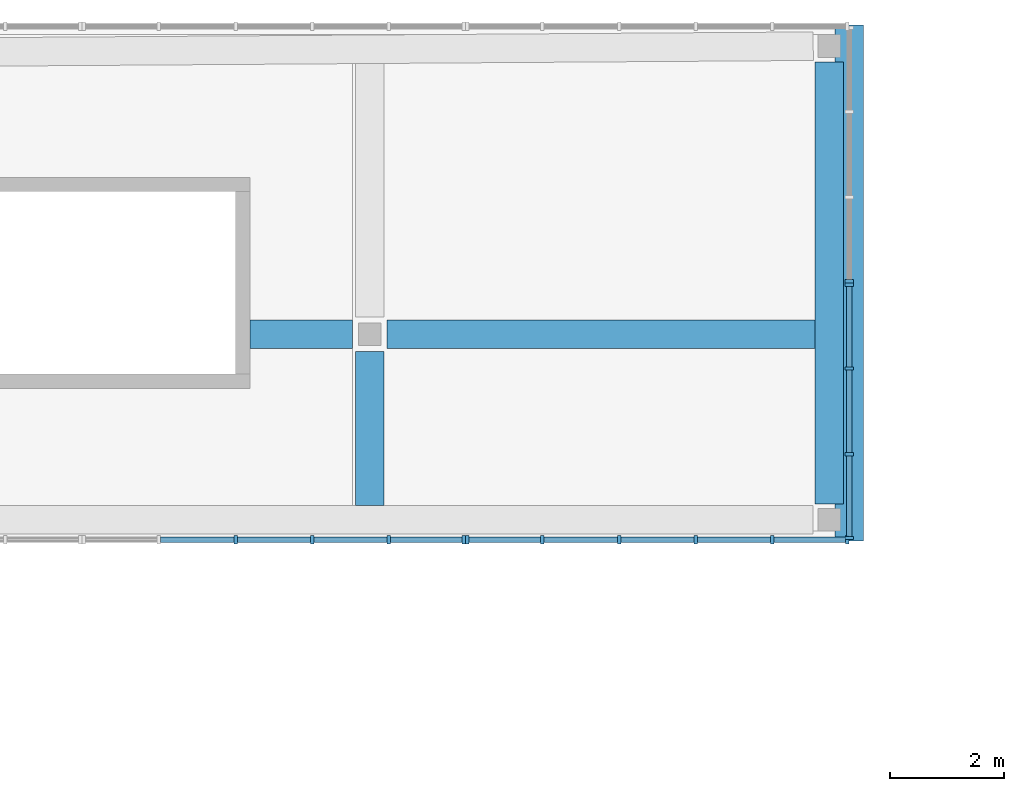
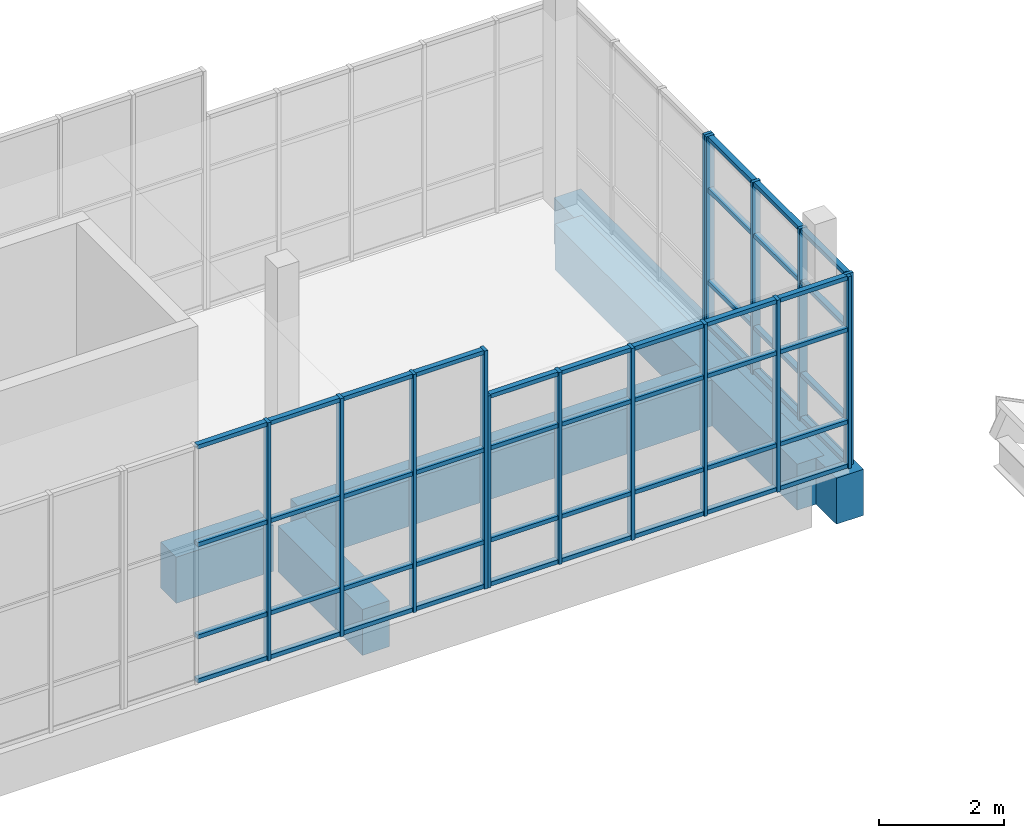
# One storey, part 27 of 103: 63 members, 5 beams, 4 elements without a shape of their own.
"""IFC4 building model written with IfcOpenShell, lengths in metres."""

from ifc_helpers import new_model, si_unit, direction, frame, origin, origin_2d, place, context, subcontext, project, spatial, rectangle, extrude, material, layer, layer_set, material_profile, profile_set, type_object, element, aggregate, save


model = new_model("IFC4")

# Units and contexts
model_context = context("Model", 3, precision=1e-05, world=origin(), true_north=direction((0.0, 1.0)))
body_context = subcontext(model_context, "Body", "Model", "MODEL_VIEW")
ifc_project = project(units=[si_unit("LENGTHUNIT", "METRE"), si_unit("AREAUNIT", "SQUARE_METRE"), si_unit("VOLUMEUNIT", "CUBIC_METRE"), si_unit("PLANEANGLEUNIT", "RADIAN"), si_unit("MASSUNIT", "GRAM", prefix="KILO")], contexts=[model_context])

# Site, building, storey
site_placement = place(None, origin())
site = spatial("IfcSite", under=ifc_project, at=site_placement, CompositionType="ELEMENT")
building_placement = place(site_placement, origin())
building = spatial("IfcBuilding", under=site, at=building_placement, Name="Larchfold Concert Hall", CompositionType="ELEMENT")
storey_placement = place(building_placement, frame((0.0, 0.0, 9.60009765625)))
storey = spatial("IfcBuildingStorey", under=building, at=storey_placement, Name="L02", CompositionType="ELEMENT", Elevation=9.60009765625)

# Curtain wall, members
ifc_material_1 = material(Name="Anodised graphite aluminium curtain wall", Category="aluminium")
ifc_layer = layer(ifc_material_1, 0.14990234375)
ifc_layer_set = layer_set([ifc_layer], Name="Anodised graphite aluminium curtain wall")
curtain_wall_type = type_object("IfcCurtainWallType", Name="Curtain wall WG", PredefinedType="NOTDEFINED", material=ifc_layer_set)
curtain_wall_1_placement = place(storey_placement, origin())
curtain_wall_1 = element("IfcCurtainWall", 1, at=curtain_wall_1_placement, inside=storey, type_object=curtain_wall_type, Name="Curtain wall CW0246", PredefinedType="NOTDEFINED")
ifc_material_2 = material(Name="Anodised graphite aluminium mullion", Category="aluminium")
ifc_material_profile_1 = material_profile(ifc_material_2, rectangle(XDim=0.14990234375, YDim=0.06005859375, at=origin_2d()))
ifc_profile_set_1 = profile_set([ifc_material_profile_1], Name="Anodised graphite aluminium mullion")
member_type_1 = type_object("IfcMemberType", Name="Aluminium mullion 60x150", PredefinedType="MULLION", material=ifc_profile_set_1)
member_1_placement = place(storey_placement, frame((65.447998046875, 123.0, 0.0), z_axis=(0.0, 0.0, 1.0), x_axis=(0.0, 1.0, 0.0)))
member_1 = element("IfcMember", 2, at=member_1_placement, type_object=member_type_1, Name="CW0246 mullion 3", PredefinedType="MULLION", context=body_context, shape_type="SweptSolid", body=[
    extrude(rectangle(XDim=0.14990234375, YDim=0.06005859375, at=origin_2d()), origin(), (0.0, 0.0, 1.0), 4.64990234375),
])
member_2_placement = place(storey_placement, frame((66.7919921875, 123.0, 0.0), z_axis=(0.0, 0.0, 1.0), x_axis=(0.0, 1.0, 0.0)))
member_2 = element("IfcMember", 3, at=member_2_placement, type_object=member_type_1, Name="CW0246 mullion 4", PredefinedType="MULLION", context=body_context, shape_type="SweptSolid", body=[
    extrude(rectangle(XDim=0.14990234375, YDim=0.06005859375, at=origin_2d()), origin(), (0.0, 0.0, 1.0), 4.64990234375),
])
member_3_placement = place(storey_placement, frame((68.135986328125, 123.0, 0.0), z_axis=(0.0, 0.0, 1.0), x_axis=(0.0, 1.0, 0.0)))
member_3 = element("IfcMember", 4, at=member_3_placement, type_object=member_type_1, Name="CW0246 mullion 5", PredefinedType="MULLION", context=body_context, shape_type="SweptSolid", body=[
    extrude(rectangle(XDim=0.14990234375, YDim=0.06005859375, at=origin_2d()), origin(), (0.0, 0.0, 1.0), 4.64990234375),
])
member_4_placement = place(storey_placement, frame((69.449951171875, 123.0, 0.0), z_axis=(0.0, 0.0, 1.0), x_axis=(0.0, 1.0, 0.0)))
member_4 = element("IfcMember", 5, at=member_4_placement, type_object=member_type_1, Name="CW0246 mullion 6", PredefinedType="MULLION", context=body_context, shape_type="SweptSolid", body=[
    extrude(rectangle(XDim=0.14990234375, YDim=0.06005859375, at=origin_2d()), origin(), (0.0, 0.0, 1.0), 4.64990234375),
])

curtain_wall_2_placement = place(storey_placement, origin())
curtain_wall_2 = element("IfcCurtainWall", 6, at=curtain_wall_2_placement, inside=storey, type_object=curtain_wall_type, Name="Curtain wall CW0247", PredefinedType="NOTDEFINED")
member_5_placement = place(storey_placement, frame((69.510009765625, 123.0, 0.0), z_axis=(0.0, 0.0, 1.0), x_axis=(0.0, 1.0, 0.0)))
member_5 = element("IfcMember", 7, at=member_5_placement, type_object=member_type_1, Name="CW0247 mullion 1", PredefinedType="MULLION", context=body_context, shape_type="SweptSolid", body=[
    extrude(rectangle(XDim=0.14990234375, YDim=0.06005859375, at=origin_2d()), origin(), (0.0, 0.0, 1.0), 3.75),
])
member_6_placement = place(storey_placement, frame((70.823974609375, 123.0, 0.0), z_axis=(0.0, 0.0, 1.0), x_axis=(0.0, 1.0, 0.0)))
member_6 = element("IfcMember", 8, at=member_6_placement, type_object=member_type_1, Name="CW0247 mullion 2", PredefinedType="MULLION", context=body_context, shape_type="SweptSolid", body=[
    extrude(rectangle(XDim=0.14990234375, YDim=0.06005859375, at=origin_2d()), origin(), (0.0, 0.0, 1.0), 3.75),
])
member_7_placement = place(storey_placement, frame((72.16796875, 123.0, 0.0), z_axis=(0.0, 0.0, 1.0), x_axis=(0.0, 1.0, 0.0)))
member_7 = element("IfcMember", 9, at=member_7_placement, type_object=member_type_1, Name="CW0247 mullion 3", PredefinedType="MULLION", context=body_context, shape_type="SweptSolid", body=[
    extrude(rectangle(XDim=0.14990234375, YDim=0.06005859375, at=origin_2d()), origin(), (0.0, 0.0, 1.0), 3.75),
])
member_8_placement = place(storey_placement, frame((73.511962890625, 123.0, 0.0), z_axis=(0.0, 0.0, 1.0), x_axis=(0.0, 1.0, 0.0)))
member_8 = element("IfcMember", 10, at=member_8_placement, type_object=member_type_1, Name="CW0247 mullion 4", PredefinedType="MULLION", context=body_context, shape_type="SweptSolid", body=[
    extrude(rectangle(XDim=0.14990234375, YDim=0.06005859375, at=origin_2d()), origin(), (0.0, 0.0, 1.0), 3.75),
])
member_9_placement = place(storey_placement, frame((74.85595703125, 123.0, 0.0), z_axis=(0.0, 0.0, 1.0), x_axis=(0.0, 1.0, 0.0)))
member_9 = element("IfcMember", 11, at=member_9_placement, type_object=member_type_1, Name="CW0247 mullion 5", PredefinedType="MULLION", context=body_context, shape_type="SweptSolid", body=[
    extrude(rectangle(XDim=0.14990234375, YDim=0.06005859375, at=origin_2d()), origin(), (0.0, 0.0, 1.0), 3.75),
])
member_10_placement = place(storey_placement, frame((76.169921875, 123.0, 0.0), z_axis=(0.0, 0.0, 1.0), x_axis=(0.0, 1.0, 0.0)))
member_10 = element("IfcMember", 12, at=member_10_placement, type_object=member_type_1, Name="CW0247 mullion 6", PredefinedType="MULLION", context=body_context, shape_type="SweptSolid", body=[
    extrude(rectangle(XDim=0.14990234375, YDim=0.06005859375, at=origin_2d()), origin(), (0.0, 0.0, 1.0), 3.75),
])

curtain_wall_3_placement = place(storey_placement, origin())
curtain_wall_3 = element("IfcCurtainWall", 13, at=curtain_wall_3_placement, inside=storey, type_object=curtain_wall_type, Name="Curtain wall CW0248", PredefinedType="NOTDEFINED")
member_11_placement = place(storey_placement, frame((76.199951171875, 123.030029296875, 0.0), z_axis=(0.0, 0.0, 1.0), x_axis=(-1.0, 0.0, 0.0)))
member_11 = element("IfcMember", 14, at=member_11_placement, type_object=member_type_1, Name="CW0248 mullion 1", PredefinedType="MULLION", context=body_context, shape_type="SweptSolid", body=[
    extrude(rectangle(XDim=0.14990234375, YDim=0.06005859375, at=origin_2d()), origin(), (0.0, 0.0, 1.0), 3.75),
])
member_12_placement = place(storey_placement, frame((76.199951171875, 124.5, 0.0), z_axis=(0.0, 0.0, 1.0), x_axis=(-1.0, 0.0, 0.0)))
member_12 = element("IfcMember", 15, at=member_12_placement, type_object=member_type_1, Name="CW0248 mullion 2", PredefinedType="MULLION", context=body_context, shape_type="SweptSolid", body=[
    extrude(rectangle(XDim=0.14990234375, YDim=0.06005859375, at=origin_2d()), origin(), (0.0, 0.0, 1.0), 3.75),
])
member_13_placement = place(storey_placement, frame((76.199951171875, 126.0, 0.0), z_axis=(0.0, 0.0, 1.0), x_axis=(-1.0, 0.0, 0.0)))
member_13 = element("IfcMember", 16, at=member_13_placement, type_object=member_type_1, Name="CW0248 mullion 3", PredefinedType="MULLION", context=body_context, shape_type="SweptSolid", body=[
    extrude(rectangle(XDim=0.14990234375, YDim=0.06005859375, at=origin_2d()), origin(), (0.0, 0.0, 1.0), 3.75),
])
member_14_placement = place(storey_placement, frame((76.199951171875, 127.469970703125, 0.0), z_axis=(0.0, 0.0, 1.0), x_axis=(-1.0, 0.0, 0.0)))
member_14 = element("IfcMember", 17, at=member_14_placement, type_object=member_type_1, Name="CW0248 mullion 4", PredefinedType="MULLION", context=body_context, shape_type="SweptSolid", body=[
    extrude(rectangle(XDim=0.14990234375, YDim=0.06005859375, at=origin_2d()), origin(), (0.0, 0.0, 1.0), 3.75),
])

# Curtain wall, member
curtain_wall_4_placement = place(storey_placement, origin())
curtain_wall_4 = element("IfcCurtainWall", 18, at=curtain_wall_4_placement, inside=storey, type_object=curtain_wall_type, Name="Curtain wall CW0249", PredefinedType="NOTDEFINED")
member_15_placement = place(storey_placement, frame((76.199951171875, 127.530029296875, 0.0), z_axis=(0.0, 0.0, 1.0), x_axis=(-1.0, 0.0, 0.0)))
member_15 = element("IfcMember", 19, at=member_15_placement, type_object=member_type_1, Name="CW0249 mullion 1", PredefinedType="MULLION", context=body_context, shape_type="SweptSolid", body=[
    extrude(rectangle(XDim=0.14990234375, YDim=0.06005859375, at=origin_2d()), origin(), (0.0, 0.0, 1.0), 3.75),
])
aggregate(curtain_wall_4, [member_15])

# Member
ifc_material_3 = material(Name="Anodised graphite aluminium transom", Category="aluminium")
ifc_material_profile_2 = material_profile(ifc_material_3, rectangle(XDim=0.10009765625, YDim=0.080078125, at=origin_2d()))
ifc_profile_set_2 = profile_set([ifc_material_profile_2], Name="Anodised graphite aluminium transom")
member_type_2 = type_object("IfcMemberType", Name="Aluminium transom 80x100", PredefinedType="USERDEFINED", material=ifc_profile_set_2)
member_16_placement = place(storey_placement, frame((64.134033203125, 123.0, 0.0400390625), z_axis=(1.0, 0.0, 0.0), x_axis=(0.0, 1.0, 0.0)))
member_16 = element("IfcMember", 20, at=member_16_placement, type_object=member_type_2, Name="CW0246 transom 2.1", ObjectType="TRANSOM", PredefinedType="USERDEFINED", context=body_context, shape_type="SweptSolid", body=[
    extrude(rectangle(XDim=0.10009765625, YDim=0.080078125, at=origin_2d()), origin(), (0.0, 0.0, 1.0), 1.283935546875),
])

member_17_placement = place(storey_placement, frame((64.134033203125, 123.0, 0.89990234375), z_axis=(1.0, 0.0, 0.0), x_axis=(0.0, 1.0, 0.0)))
member_17 = element("IfcMember", 21, at=member_17_placement, type_object=member_type_2, Name="CW0246 transom 2.2", ObjectType="TRANSOM", PredefinedType="USERDEFINED", context=body_context, shape_type="SweptSolid", body=[
    extrude(rectangle(XDim=0.10009765625, YDim=0.080078125, at=origin_2d()), origin(), (0.0, 0.0, 1.0), 1.283935546875),
])

member_18_placement = place(storey_placement, frame((64.134033203125, 123.0, 2.699951171875), z_axis=(1.0, 0.0, 0.0), x_axis=(0.0, 1.0, 0.0)))
member_18 = element("IfcMember", 22, at=member_18_placement, type_object=member_type_2, Name="CW0246 transom 2.3", ObjectType="TRANSOM", PredefinedType="USERDEFINED", context=body_context, shape_type="SweptSolid", body=[
    extrude(rectangle(XDim=0.10009765625, YDim=0.080078125, at=origin_2d()), origin(), (0.0, 0.0, 1.0), 1.283935546875),
])

member_19_placement = place(storey_placement, frame((64.134033203125, 123.0, 4.60986328125), z_axis=(1.0, 0.0, 0.0), x_axis=(0.0, 1.0, 0.0)))
member_19 = element("IfcMember", 23, at=member_19_placement, type_object=member_type_2, Name="CW0246 transom 2.4", ObjectType="TRANSOM", PredefinedType="USERDEFINED", context=body_context, shape_type="SweptSolid", body=[
    extrude(rectangle(XDim=0.10009765625, YDim=0.080078125, at=origin_2d()), origin(), (0.0, 0.0, 1.0), 1.283935546875),
])

member_20_placement = place(storey_placement, frame((65.47802734375, 123.0, 0.0400390625), z_axis=(1.0, 0.0, 0.0), x_axis=(0.0, 1.0, 0.0)))
member_20 = element("IfcMember", 24, at=member_20_placement, type_object=member_type_2, Name="CW0246 transom 3.1", ObjectType="TRANSOM", PredefinedType="USERDEFINED", context=body_context, shape_type="SweptSolid", body=[
    extrude(rectangle(XDim=0.10009765625, YDim=0.080078125, at=origin_2d()), origin(), (0.0, 0.0, 1.0), 1.283935546875),
])

member_21_placement = place(storey_placement, frame((65.47802734375, 123.0, 0.89990234375), z_axis=(1.0, 0.0, 0.0), x_axis=(0.0, 1.0, 0.0)))
member_21 = element("IfcMember", 25, at=member_21_placement, type_object=member_type_2, Name="CW0246 transom 3.2", ObjectType="TRANSOM", PredefinedType="USERDEFINED", context=body_context, shape_type="SweptSolid", body=[
    extrude(rectangle(XDim=0.10009765625, YDim=0.080078125, at=origin_2d()), origin(), (0.0, 0.0, 1.0), 1.283935546875),
])

member_22_placement = place(storey_placement, frame((65.47802734375, 123.0, 2.699951171875), z_axis=(1.0, 0.0, 0.0), x_axis=(0.0, 1.0, 0.0)))
member_22 = element("IfcMember", 26, at=member_22_placement, type_object=member_type_2, Name="CW0246 transom 3.3", ObjectType="TRANSOM", PredefinedType="USERDEFINED", context=body_context, shape_type="SweptSolid", body=[
    extrude(rectangle(XDim=0.10009765625, YDim=0.080078125, at=origin_2d()), origin(), (0.0, 0.0, 1.0), 1.283935546875),
])

member_23_placement = place(storey_placement, frame((65.47802734375, 123.0, 4.60986328125), z_axis=(1.0, 0.0, 0.0), x_axis=(0.0, 1.0, 0.0)))
member_23 = element("IfcMember", 27, at=member_23_placement, type_object=member_type_2, Name="CW0246 transom 3.4", ObjectType="TRANSOM", PredefinedType="USERDEFINED", context=body_context, shape_type="SweptSolid", body=[
    extrude(rectangle(XDim=0.10009765625, YDim=0.080078125, at=origin_2d()), origin(), (0.0, 0.0, 1.0), 1.283935546875),
])

member_24_placement = place(storey_placement, frame((66.822021484375, 123.0, 0.0400390625), z_axis=(1.0, 0.0, 0.0), x_axis=(0.0, 1.0, 0.0)))
member_24 = element("IfcMember", 28, at=member_24_placement, type_object=member_type_2, Name="CW0246 transom 4.1", ObjectType="TRANSOM", PredefinedType="USERDEFINED", context=body_context, shape_type="SweptSolid", body=[
    extrude(rectangle(XDim=0.10009765625, YDim=0.080078125, at=origin_2d()), origin(), (0.0, 0.0, 1.0), 1.283935546875),
])

member_25_placement = place(storey_placement, frame((66.822021484375, 123.0, 0.89990234375), z_axis=(1.0, 0.0, 0.0), x_axis=(0.0, 1.0, 0.0)))
member_25 = element("IfcMember", 29, at=member_25_placement, type_object=member_type_2, Name="CW0246 transom 4.2", ObjectType="TRANSOM", PredefinedType="USERDEFINED", context=body_context, shape_type="SweptSolid", body=[
    extrude(rectangle(XDim=0.10009765625, YDim=0.080078125, at=origin_2d()), origin(), (0.0, 0.0, 1.0), 1.283935546875),
])

member_26_placement = place(storey_placement, frame((66.822021484375, 123.0, 2.699951171875), z_axis=(1.0, 0.0, 0.0), x_axis=(0.0, 1.0, 0.0)))
member_26 = element("IfcMember", 30, at=member_26_placement, type_object=member_type_2, Name="CW0246 transom 4.3", ObjectType="TRANSOM", PredefinedType="USERDEFINED", context=body_context, shape_type="SweptSolid", body=[
    extrude(rectangle(XDim=0.10009765625, YDim=0.080078125, at=origin_2d()), origin(), (0.0, 0.0, 1.0), 1.283935546875),
])

member_27_placement = place(storey_placement, frame((66.822021484375, 123.0, 4.60986328125), z_axis=(1.0, 0.0, 0.0), x_axis=(0.0, 1.0, 0.0)))
member_27 = element("IfcMember", 31, at=member_27_placement, type_object=member_type_2, Name="CW0246 transom 4.4", ObjectType="TRANSOM", PredefinedType="USERDEFINED", context=body_context, shape_type="SweptSolid", body=[
    extrude(rectangle(XDim=0.10009765625, YDim=0.080078125, at=origin_2d()), origin(), (0.0, 0.0, 1.0), 1.283935546875),
])

member_28_placement = place(storey_placement, frame((68.166015625, 123.0, 0.0400390625), z_axis=(1.0, 0.0, 0.0), x_axis=(0.0, 1.0, 0.0)))
member_28 = element("IfcMember", 32, at=member_28_placement, type_object=member_type_2, Name="CW0246 transom 5.1", ObjectType="TRANSOM", PredefinedType="USERDEFINED", context=body_context, shape_type="SweptSolid", body=[
    extrude(rectangle(XDim=0.10009765625, YDim=0.080078125, at=origin_2d()), origin(), (0.0, 0.0, 1.0), 1.25390625),
])

member_29_placement = place(storey_placement, frame((68.166015625, 123.0, 0.89990234375), z_axis=(1.0, 0.0, 0.0), x_axis=(0.0, 1.0, 0.0)))
member_29 = element("IfcMember", 33, at=member_29_placement, type_object=member_type_2, Name="CW0246 transom 5.2", ObjectType="TRANSOM", PredefinedType="USERDEFINED", context=body_context, shape_type="SweptSolid", body=[
    extrude(rectangle(XDim=0.10009765625, YDim=0.080078125, at=origin_2d()), origin(), (0.0, 0.0, 1.0), 1.25390625),
])

member_30_placement = place(storey_placement, frame((68.166015625, 123.0, 2.699951171875), z_axis=(1.0, 0.0, 0.0), x_axis=(0.0, 1.0, 0.0)))
member_30 = element("IfcMember", 34, at=member_30_placement, type_object=member_type_2, Name="CW0246 transom 5.3", ObjectType="TRANSOM", PredefinedType="USERDEFINED", context=body_context, shape_type="SweptSolid", body=[
    extrude(rectangle(XDim=0.10009765625, YDim=0.080078125, at=origin_2d()), origin(), (0.0, 0.0, 1.0), 1.25390625),
])

member_31_placement = place(storey_placement, frame((68.166015625, 123.0, 4.60986328125), z_axis=(1.0, 0.0, 0.0), x_axis=(0.0, 1.0, 0.0)))
member_31 = element("IfcMember", 35, at=member_31_placement, type_object=member_type_2, Name="CW0246 transom 5.4", ObjectType="TRANSOM", PredefinedType="USERDEFINED", context=body_context, shape_type="SweptSolid", body=[
    extrude(rectangle(XDim=0.10009765625, YDim=0.080078125, at=origin_2d()), origin(), (0.0, 0.0, 1.0), 1.25390625),
])

aggregate(curtain_wall_1, [member_1, member_2, member_3, member_4, member_16, member_17, member_18, member_19, member_20, member_21, member_22, member_23, member_24, member_25, member_26, member_27, member_28, member_29, member_30, member_31])

member_32_placement = place(storey_placement, frame((69.5400390625, 123.0, 0.0400390625), z_axis=(1.0, 0.0, 0.0), x_axis=(0.0, 1.0, 0.0)))
member_32 = element("IfcMember", 36, at=member_32_placement, type_object=member_type_2, Name="CW0247 transom 1.1", ObjectType="TRANSOM", PredefinedType="USERDEFINED", context=body_context, shape_type="SweptSolid", body=[
    extrude(rectangle(XDim=0.10009765625, YDim=0.080078125, at=origin_2d()), origin(), (0.0, 0.0, 1.0), 1.25390625),
])

member_33_placement = place(storey_placement, frame((69.5400390625, 123.0, 0.89990234375), z_axis=(1.0, 0.0, 0.0), x_axis=(0.0, 1.0, 0.0)))
member_33 = element("IfcMember", 37, at=member_33_placement, type_object=member_type_2, Name="CW0247 transom 1.2", ObjectType="TRANSOM", PredefinedType="USERDEFINED", context=body_context, shape_type="SweptSolid", body=[
    extrude(rectangle(XDim=0.10009765625, YDim=0.080078125, at=origin_2d()), origin(), (0.0, 0.0, 1.0), 1.25390625),
])

member_34_placement = place(storey_placement, frame((69.5400390625, 123.0, 2.699951171875), z_axis=(1.0, 0.0, 0.0), x_axis=(0.0, 1.0, 0.0)))
member_34 = element("IfcMember", 38, at=member_34_placement, type_object=member_type_2, Name="CW0247 transom 1.3", ObjectType="TRANSOM", PredefinedType="USERDEFINED", context=body_context, shape_type="SweptSolid", body=[
    extrude(rectangle(XDim=0.10009765625, YDim=0.080078125, at=origin_2d()), origin(), (0.0, 0.0, 1.0), 1.25390625),
])

member_35_placement = place(storey_placement, frame((69.5400390625, 123.0, 3.7099609375), z_axis=(1.0, 0.0, 0.0), x_axis=(0.0, 1.0, 0.0)))
member_35 = element("IfcMember", 39, at=member_35_placement, type_object=member_type_2, Name="CW0247 transom 1.4", ObjectType="TRANSOM", PredefinedType="USERDEFINED", context=body_context, shape_type="SweptSolid", body=[
    extrude(rectangle(XDim=0.10009765625, YDim=0.080078125, at=origin_2d()), origin(), (0.0, 0.0, 1.0), 1.25390625),
])

member_36_placement = place(storey_placement, frame((70.85400390625, 123.0, 0.0400390625), z_axis=(1.0, 0.0, 0.0), x_axis=(0.0, 1.0, 0.0)))
member_36 = element("IfcMember", 40, at=member_36_placement, type_object=member_type_2, Name="CW0247 transom 2.1", ObjectType="TRANSOM", PredefinedType="USERDEFINED", context=body_context, shape_type="SweptSolid", body=[
    extrude(rectangle(XDim=0.10009765625, YDim=0.080078125, at=origin_2d()), origin(), (0.0, 0.0, 1.0), 1.283935546875),
])

member_37_placement = place(storey_placement, frame((70.85400390625, 123.0, 0.89990234375), z_axis=(1.0, 0.0, 0.0), x_axis=(0.0, 1.0, 0.0)))
member_37 = element("IfcMember", 41, at=member_37_placement, type_object=member_type_2, Name="CW0247 transom 2.2", ObjectType="TRANSOM", PredefinedType="USERDEFINED", context=body_context, shape_type="SweptSolid", body=[
    extrude(rectangle(XDim=0.10009765625, YDim=0.080078125, at=origin_2d()), origin(), (0.0, 0.0, 1.0), 1.283935546875),
])

member_38_placement = place(storey_placement, frame((70.85400390625, 123.0, 2.699951171875), z_axis=(1.0, 0.0, 0.0), x_axis=(0.0, 1.0, 0.0)))
member_38 = element("IfcMember", 42, at=member_38_placement, type_object=member_type_2, Name="CW0247 transom 2.3", ObjectType="TRANSOM", PredefinedType="USERDEFINED", context=body_context, shape_type="SweptSolid", body=[
    extrude(rectangle(XDim=0.10009765625, YDim=0.080078125, at=origin_2d()), origin(), (0.0, 0.0, 1.0), 1.283935546875),
])

member_39_placement = place(storey_placement, frame((70.85400390625, 123.0, 3.7099609375), z_axis=(1.0, 0.0, 0.0), x_axis=(0.0, 1.0, 0.0)))
member_39 = element("IfcMember", 43, at=member_39_placement, type_object=member_type_2, Name="CW0247 transom 2.4", ObjectType="TRANSOM", PredefinedType="USERDEFINED", context=body_context, shape_type="SweptSolid", body=[
    extrude(rectangle(XDim=0.10009765625, YDim=0.080078125, at=origin_2d()), origin(), (0.0, 0.0, 1.0), 1.283935546875),
])

member_40_placement = place(storey_placement, frame((72.197998046875, 123.0, 0.0400390625), z_axis=(1.0, 0.0, 0.0), x_axis=(0.0, 1.0, 0.0)))
member_40 = element("IfcMember", 44, at=member_40_placement, type_object=member_type_2, Name="CW0247 transom 3.1", ObjectType="TRANSOM", PredefinedType="USERDEFINED", context=body_context, shape_type="SweptSolid", body=[
    extrude(rectangle(XDim=0.10009765625, YDim=0.080078125, at=origin_2d()), origin(), (0.0, 0.0, 1.0), 1.283935546875),
])

member_41_placement = place(storey_placement, frame((72.197998046875, 123.0, 0.89990234375), z_axis=(1.0, 0.0, 0.0), x_axis=(0.0, 1.0, 0.0)))
member_41 = element("IfcMember", 45, at=member_41_placement, type_object=member_type_2, Name="CW0247 transom 3.2", ObjectType="TRANSOM", PredefinedType="USERDEFINED", context=body_context, shape_type="SweptSolid", body=[
    extrude(rectangle(XDim=0.10009765625, YDim=0.080078125, at=origin_2d()), origin(), (0.0, 0.0, 1.0), 1.283935546875),
])

member_42_placement = place(storey_placement, frame((72.197998046875, 123.0, 2.699951171875), z_axis=(1.0, 0.0, 0.0), x_axis=(0.0, 1.0, 0.0)))
member_42 = element("IfcMember", 46, at=member_42_placement, type_object=member_type_2, Name="CW0247 transom 3.3", ObjectType="TRANSOM", PredefinedType="USERDEFINED", context=body_context, shape_type="SweptSolid", body=[
    extrude(rectangle(XDim=0.10009765625, YDim=0.080078125, at=origin_2d()), origin(), (0.0, 0.0, 1.0), 1.283935546875),
])

member_43_placement = place(storey_placement, frame((72.197998046875, 123.0, 3.7099609375), z_axis=(1.0, 0.0, 0.0), x_axis=(0.0, 1.0, 0.0)))
member_43 = element("IfcMember", 47, at=member_43_placement, type_object=member_type_2, Name="CW0247 transom 3.4", ObjectType="TRANSOM", PredefinedType="USERDEFINED", context=body_context, shape_type="SweptSolid", body=[
    extrude(rectangle(XDim=0.10009765625, YDim=0.080078125, at=origin_2d()), origin(), (0.0, 0.0, 1.0), 1.283935546875),
])

member_44_placement = place(storey_placement, frame((73.5419921875, 123.0, 0.0400390625), z_axis=(1.0, 0.0, 0.0), x_axis=(0.0, 1.0, 0.0)))
member_44 = element("IfcMember", 48, at=member_44_placement, type_object=member_type_2, Name="CW0247 transom 4.1", ObjectType="TRANSOM", PredefinedType="USERDEFINED", context=body_context, shape_type="SweptSolid", body=[
    extrude(rectangle(XDim=0.10009765625, YDim=0.080078125, at=origin_2d()), origin(), (0.0, 0.0, 1.0), 1.283935546875),
])

member_45_placement = place(storey_placement, frame((73.5419921875, 123.0, 0.89990234375), z_axis=(1.0, 0.0, 0.0), x_axis=(0.0, 1.0, 0.0)))
member_45 = element("IfcMember", 49, at=member_45_placement, type_object=member_type_2, Name="CW0247 transom 4.2", ObjectType="TRANSOM", PredefinedType="USERDEFINED", context=body_context, shape_type="SweptSolid", body=[
    extrude(rectangle(XDim=0.10009765625, YDim=0.080078125, at=origin_2d()), origin(), (0.0, 0.0, 1.0), 1.283935546875),
])

member_46_placement = place(storey_placement, frame((73.5419921875, 123.0, 2.699951171875), z_axis=(1.0, 0.0, 0.0), x_axis=(0.0, 1.0, 0.0)))
member_46 = element("IfcMember", 50, at=member_46_placement, type_object=member_type_2, Name="CW0247 transom 4.3", ObjectType="TRANSOM", PredefinedType="USERDEFINED", context=body_context, shape_type="SweptSolid", body=[
    extrude(rectangle(XDim=0.10009765625, YDim=0.080078125, at=origin_2d()), origin(), (0.0, 0.0, 1.0), 1.283935546875),
])

member_47_placement = place(storey_placement, frame((73.5419921875, 123.0, 3.7099609375), z_axis=(1.0, 0.0, 0.0), x_axis=(0.0, 1.0, 0.0)))
member_47 = element("IfcMember", 51, at=member_47_placement, type_object=member_type_2, Name="CW0247 transom 4.4", ObjectType="TRANSOM", PredefinedType="USERDEFINED", context=body_context, shape_type="SweptSolid", body=[
    extrude(rectangle(XDim=0.10009765625, YDim=0.080078125, at=origin_2d()), origin(), (0.0, 0.0, 1.0), 1.283935546875),
])

member_48_placement = place(storey_placement, frame((74.885986328125, 123.0, 0.0400390625), z_axis=(1.0, 0.0, 0.0), x_axis=(0.0, 1.0, 0.0)))
member_48 = element("IfcMember", 52, at=member_48_placement, type_object=member_type_2, Name="CW0247 transom 5.1", ObjectType="TRANSOM", PredefinedType="USERDEFINED", context=body_context, shape_type="SweptSolid", body=[
    extrude(rectangle(XDim=0.10009765625, YDim=0.080078125, at=origin_2d()), origin(), (0.0, 0.0, 1.0), 1.25390625),
])

member_49_placement = place(storey_placement, frame((74.885986328125, 123.0, 0.89990234375), z_axis=(1.0, 0.0, 0.0), x_axis=(0.0, 1.0, 0.0)))
member_49 = element("IfcMember", 53, at=member_49_placement, type_object=member_type_2, Name="CW0247 transom 5.2", ObjectType="TRANSOM", PredefinedType="USERDEFINED", context=body_context, shape_type="SweptSolid", body=[
    extrude(rectangle(XDim=0.10009765625, YDim=0.080078125, at=origin_2d()), origin(), (0.0, 0.0, 1.0), 1.25390625),
])

member_50_placement = place(storey_placement, frame((74.885986328125, 123.0, 2.699951171875), z_axis=(1.0, 0.0, 0.0), x_axis=(0.0, 1.0, 0.0)))
member_50 = element("IfcMember", 54, at=member_50_placement, type_object=member_type_2, Name="CW0247 transom 5.3", ObjectType="TRANSOM", PredefinedType="USERDEFINED", context=body_context, shape_type="SweptSolid", body=[
    extrude(rectangle(XDim=0.10009765625, YDim=0.080078125, at=origin_2d()), origin(), (0.0, 0.0, 1.0), 1.25390625),
])

member_51_placement = place(storey_placement, frame((74.885986328125, 123.0, 3.7099609375), z_axis=(1.0, 0.0, 0.0), x_axis=(0.0, 1.0, 0.0)))
member_51 = element("IfcMember", 55, at=member_51_placement, type_object=member_type_2, Name="CW0247 transom 5.4", ObjectType="TRANSOM", PredefinedType="USERDEFINED", context=body_context, shape_type="SweptSolid", body=[
    extrude(rectangle(XDim=0.10009765625, YDim=0.080078125, at=origin_2d()), origin(), (0.0, 0.0, 1.0), 1.25390625),
])

aggregate(curtain_wall_2, [member_5, member_6, member_7, member_8, member_9, member_10, member_32, member_33, member_34, member_35, member_36, member_37, member_38, member_39, member_40, member_41, member_42, member_43, member_44, member_45, member_46, member_47, member_48, member_49, member_50, member_51])

member_52_placement = place(storey_placement, frame((76.199951171875, 123.06005859375, 0.0400390625), z_axis=(0.0, 1.0, 0.0), x_axis=(-1.0, 0.0, 0.0)))
member_52 = element("IfcMember", 56, at=member_52_placement, type_object=member_type_2, Name="CW0248 transom 1.1", ObjectType="TRANSOM", PredefinedType="USERDEFINED", context=body_context, shape_type="SweptSolid", body=[
    extrude(rectangle(XDim=0.10009765625, YDim=0.080078125, at=origin_2d()), origin(), (0.0, 0.0, 1.0), 1.409912109375),
])

member_53_placement = place(storey_placement, frame((76.199951171875, 123.06005859375, 0.89990234375), z_axis=(0.0, 1.0, 0.0), x_axis=(-1.0, 0.0, 0.0)))
member_53 = element("IfcMember", 57, at=member_53_placement, type_object=member_type_2, Name="CW0248 transom 1.2", ObjectType="TRANSOM", PredefinedType="USERDEFINED", context=body_context, shape_type="SweptSolid", body=[
    extrude(rectangle(XDim=0.10009765625, YDim=0.080078125, at=origin_2d()), origin(), (0.0, 0.0, 1.0), 1.409912109375),
])

member_54_placement = place(storey_placement, frame((76.199951171875, 123.06005859375, 2.699951171875), z_axis=(0.0, 1.0, 0.0), x_axis=(-1.0, 0.0, 0.0)))
member_54 = element("IfcMember", 58, at=member_54_placement, type_object=member_type_2, Name="CW0248 transom 1.3", ObjectType="TRANSOM", PredefinedType="USERDEFINED", context=body_context, shape_type="SweptSolid", body=[
    extrude(rectangle(XDim=0.10009765625, YDim=0.080078125, at=origin_2d()), origin(), (0.0, 0.0, 1.0), 1.409912109375),
])

member_55_placement = place(storey_placement, frame((76.199951171875, 123.06005859375, 3.7099609375), z_axis=(0.0, 1.0, 0.0), x_axis=(-1.0, 0.0, 0.0)))
member_55 = element("IfcMember", 59, at=member_55_placement, type_object=member_type_2, Name="CW0248 transom 1.4", ObjectType="TRANSOM", PredefinedType="USERDEFINED", context=body_context, shape_type="SweptSolid", body=[
    extrude(rectangle(XDim=0.10009765625, YDim=0.080078125, at=origin_2d()), origin(), (0.0, 0.0, 1.0), 1.409912109375),
])

member_56_placement = place(storey_placement, frame((76.199951171875, 124.530029296875, 0.0400390625), z_axis=(0.0, 1.0, 0.0), x_axis=(-1.0, 0.0, 0.0)))
member_56 = element("IfcMember", 60, at=member_56_placement, type_object=member_type_2, Name="CW0248 transom 2.1", ObjectType="TRANSOM", PredefinedType="USERDEFINED", context=body_context, shape_type="SweptSolid", body=[
    extrude(rectangle(XDim=0.10009765625, YDim=0.080078125, at=origin_2d()), origin(), (0.0, 0.0, 1.0), 1.43994140625),
])

member_57_placement = place(storey_placement, frame((76.199951171875, 124.530029296875, 0.89990234375), z_axis=(0.0, 1.0, 0.0), x_axis=(-1.0, 0.0, 0.0)))
member_57 = element("IfcMember", 61, at=member_57_placement, type_object=member_type_2, Name="CW0248 transom 2.2", ObjectType="TRANSOM", PredefinedType="USERDEFINED", context=body_context, shape_type="SweptSolid", body=[
    extrude(rectangle(XDim=0.10009765625, YDim=0.080078125, at=origin_2d()), origin(), (0.0, 0.0, 1.0), 1.43994140625),
])

member_58_placement = place(storey_placement, frame((76.199951171875, 124.530029296875, 2.699951171875), z_axis=(0.0, 1.0, 0.0), x_axis=(-1.0, 0.0, 0.0)))
member_58 = element("IfcMember", 62, at=member_58_placement, type_object=member_type_2, Name="CW0248 transom 2.3", ObjectType="TRANSOM", PredefinedType="USERDEFINED", context=body_context, shape_type="SweptSolid", body=[
    extrude(rectangle(XDim=0.10009765625, YDim=0.080078125, at=origin_2d()), origin(), (0.0, 0.0, 1.0), 1.43994140625),
])

member_59_placement = place(storey_placement, frame((76.199951171875, 124.530029296875, 3.7099609375), z_axis=(0.0, 1.0, 0.0), x_axis=(-1.0, 0.0, 0.0)))
member_59 = element("IfcMember", 63, at=member_59_placement, type_object=member_type_2, Name="CW0248 transom 2.4", ObjectType="TRANSOM", PredefinedType="USERDEFINED", context=body_context, shape_type="SweptSolid", body=[
    extrude(rectangle(XDim=0.10009765625, YDim=0.080078125, at=origin_2d()), origin(), (0.0, 0.0, 1.0), 1.43994140625),
])

member_60_placement = place(storey_placement, frame((76.199951171875, 126.030029296875, 0.0400390625), z_axis=(0.0, 1.0, 0.0), x_axis=(-1.0, 0.0, 0.0)))
member_60 = element("IfcMember", 64, at=member_60_placement, type_object=member_type_2, Name="CW0248 transom 3.1", ObjectType="TRANSOM", PredefinedType="USERDEFINED", context=body_context, shape_type="SweptSolid", body=[
    extrude(rectangle(XDim=0.10009765625, YDim=0.080078125, at=origin_2d()), origin(), (0.0, 0.0, 1.0), 1.409912109375),
])

member_61_placement = place(storey_placement, frame((76.199951171875, 126.030029296875, 0.89990234375), z_axis=(0.0, 1.0, 0.0), x_axis=(-1.0, 0.0, 0.0)))
member_61 = element("IfcMember", 65, at=member_61_placement, type_object=member_type_2, Name="CW0248 transom 3.2", ObjectType="TRANSOM", PredefinedType="USERDEFINED", context=body_context, shape_type="SweptSolid", body=[
    extrude(rectangle(XDim=0.10009765625, YDim=0.080078125, at=origin_2d()), origin(), (0.0, 0.0, 1.0), 1.409912109375),
])

member_62_placement = place(storey_placement, frame((76.199951171875, 126.030029296875, 2.699951171875), z_axis=(0.0, 1.0, 0.0), x_axis=(-1.0, 0.0, 0.0)))
member_62 = element("IfcMember", 66, at=member_62_placement, type_object=member_type_2, Name="CW0248 transom 3.3", ObjectType="TRANSOM", PredefinedType="USERDEFINED", context=body_context, shape_type="SweptSolid", body=[
    extrude(rectangle(XDim=0.10009765625, YDim=0.080078125, at=origin_2d()), origin(), (0.0, 0.0, 1.0), 1.409912109375),
])

member_63_placement = place(storey_placement, frame((76.199951171875, 126.030029296875, 3.7099609375), z_axis=(0.0, 1.0, 0.0), x_axis=(-1.0, 0.0, 0.0)))
member_63 = element("IfcMember", 67, at=member_63_placement, type_object=member_type_2, Name="CW0248 transom 3.4", ObjectType="TRANSOM", PredefinedType="USERDEFINED", context=body_context, shape_type="SweptSolid", body=[
    extrude(rectangle(XDim=0.10009765625, YDim=0.080078125, at=origin_2d()), origin(), (0.0, 0.0, 1.0), 1.409912109375),
])

aggregate(curtain_wall_3, [member_11, member_12, member_13, member_14, member_52, member_53, member_54, member_55, member_56, member_57, member_58, member_59, member_60, member_61, member_62, member_63])

# Beams
ifc_material_4 = material(Name="Concrete C35/45", Category="concrete")
ifc_material_profile_3 = material_profile(ifc_material_4, rectangle(XDim=0.5, YDim=0.89990234375, at=origin_2d()))
ifc_profile_set_3 = profile_set([ifc_material_profile_3], Name="Concrete C35/45")
beam_type = type_object("IfcBeamType", Name="Beam RC 500x900", PredefinedType="BEAM", material=ifc_profile_set_3)
beam_1_placement = place(storey_placement, frame((75.85009765625, 131.3701171875, -0.60009765625), z_axis=(0.0, -1.0, 0.0), x_axis=(1.0, 0.0, 0.0)))
element("IfcBeam", 68, at=beam_1_placement, inside=storey, type_object=beam_type, Name="Beam B1950", PredefinedType="BEAM", context=body_context, shape_type="SweptSolid", body=[
    extrude(rectangle(XDim=0.5, YDim=0.89990234375, at=origin_2d()), origin(), (0.0, 0.0, 1.0), 7.740234375),
])
beam_2_placement = place(storey_placement, frame((67.800048828125, 123.60009765625, -0.60009765625), z_axis=(0.0, 1.0, 0.0), x_axis=(-1.0, 0.0, 0.0)))
element("IfcBeam", 69, at=beam_2_placement, inside=storey, type_object=beam_type, Name="Beam B1979", PredefinedType="BEAM", context=body_context, shape_type="SweptSolid", body=[
    extrude(rectangle(XDim=0.5, YDim=0.89990234375, at=origin_2d()), origin(), (0.0, 0.0, 1.0), 2.701171875),
])
beam_3_placement = place(storey_placement, frame((76.199951171875, 122.97998046875, -0.60009765625), z_axis=(0.0, 1.0, 0.0), x_axis=(-1.0, 0.0, 0.0)))
element("IfcBeam", 70, at=beam_3_placement, inside=storey, type_object=beam_type, Name="Beam B1981", PredefinedType="BEAM", context=body_context, shape_type="SweptSolid", body=[
    extrude(rectangle(XDim=0.5, YDim=0.89990234375, at=origin_2d()), origin(), (0.0, 0.0, 1.0), 9.0400390625),
])
beam_4_placement = place(storey_placement, frame((65.699951171875, 126.60009765625, -0.60009765625), z_axis=(1.0, 0.0, 0.0), x_axis=(0.0, 1.0, 0.0)))
element("IfcBeam", 71, at=beam_4_placement, inside=storey, type_object=beam_type, Name="Beam B2003", PredefinedType="BEAM", context=body_context, shape_type="SweptSolid", body=[
    extrude(rectangle(XDim=0.5, YDim=0.89990234375, at=origin_2d()), origin(), (0.0, 0.0, 1.0), 1.80126953125),
])
beam_5_placement = place(storey_placement, frame((68.0986328125, 126.60009765625, -0.60009765625), z_axis=(1.0, 0.0, 0.0), x_axis=(0.0, 1.0, 0.0)))
element("IfcBeam", 72, at=beam_5_placement, inside=storey, type_object=beam_type, Name="Beam B2004", PredefinedType="BEAM", context=body_context, shape_type="SweptSolid", body=[
    extrude(rectangle(XDim=0.5, YDim=0.89990234375, at=origin_2d()), origin(), (0.0, 0.0, 1.0), 7.50146484375),
])

save(model, "model.ifc")
